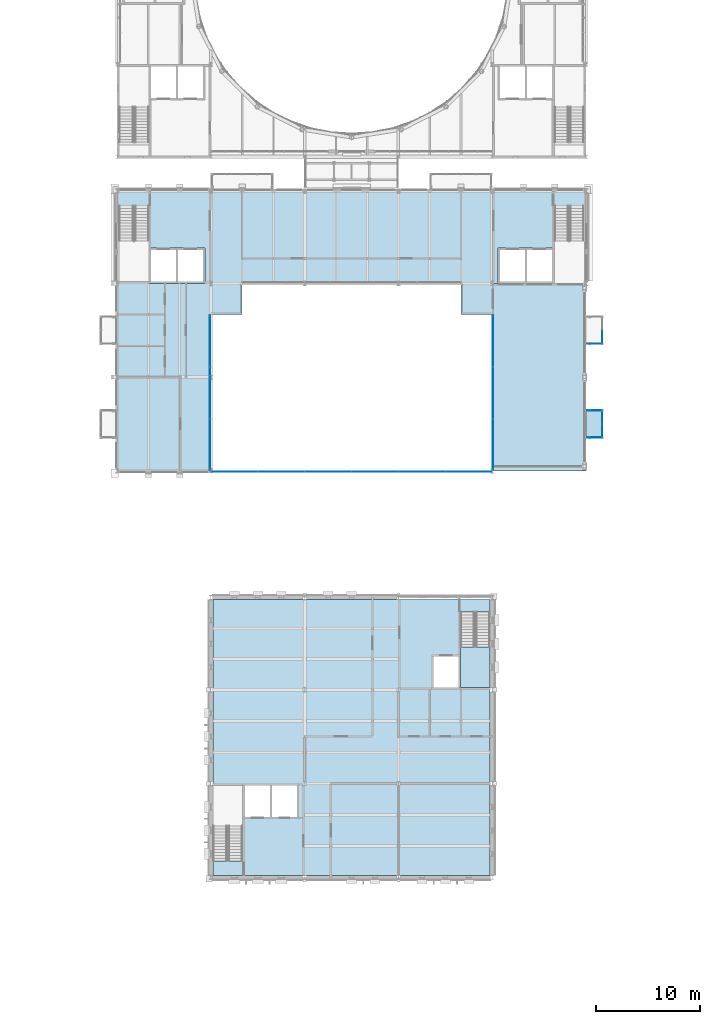
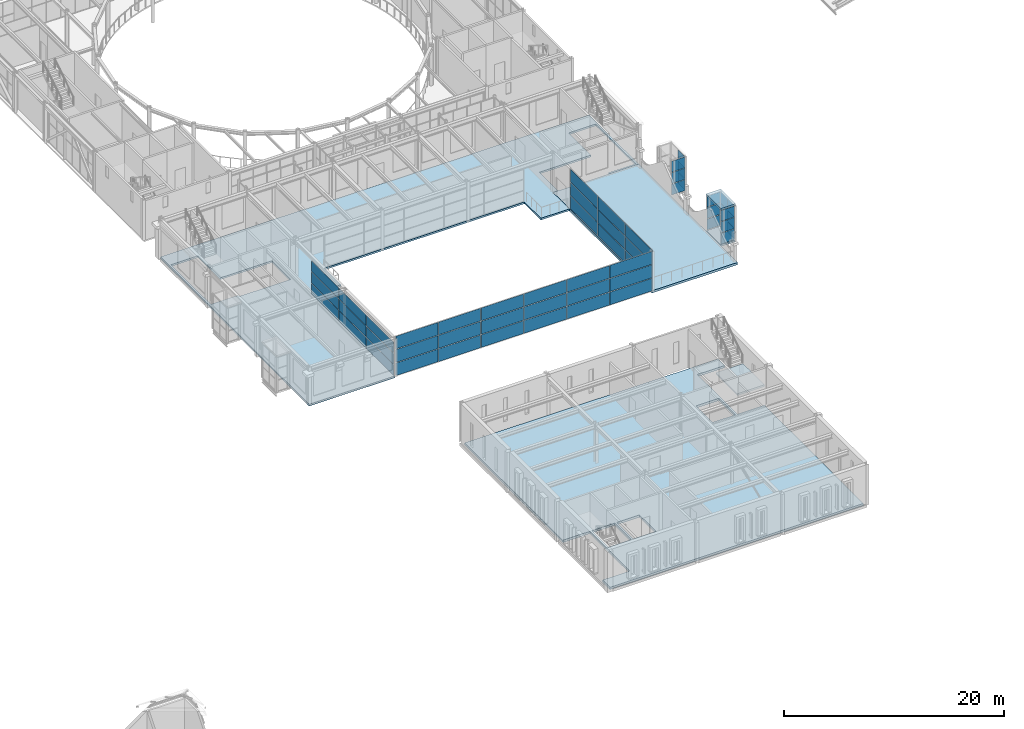
# One storey, part 58 of 111: 54 plates, 6 slabs, 9 elements without a shape of their own.
"""IFC4 building model written with IfcOpenShell, lengths in metres."""

from ifc_helpers import new_model, si_unit, direction, frame, origin, origin_2d, place, context, subcontext, project, spatial, polyline, rectangle, outline, extrude, material, layer, layer_set, type_object, element, aggregate, save


model = new_model("IFC4")

# Units and contexts
model_context = context("Model", 3, precision=1e-05, world=origin(), true_north=direction((0.0, 1.0)))
body_context = subcontext(model_context, "Body", "Model", "MODEL_VIEW")
ifc_project = project(units=[si_unit("LENGTHUNIT", "METRE"), si_unit("AREAUNIT", "SQUARE_METRE"), si_unit("VOLUMEUNIT", "CUBIC_METRE"), si_unit("PLANEANGLEUNIT", "RADIAN"), si_unit("MASSUNIT", "GRAM", prefix="KILO")], contexts=[model_context])

# Site, building, storey
site_placement = place(None, origin())
site = spatial("IfcSite", under=ifc_project, at=site_placement, CompositionType="ELEMENT")
building_placement = place(site_placement, origin())
building = spatial("IfcBuilding", under=site, at=building_placement, Name="Kallimachos Central Library", CompositionType="ELEMENT")
storey_placement = place(building_placement, frame((0.0, 0.0, 14.39990234375)))
storey = spatial("IfcBuildingStorey", under=building, at=storey_placement, Name="L03", CompositionType="ELEMENT", Elevation=14.39990234375)

# Curtain wall, plates
ifc_material_1 = material(Name="Aluminium and laminated glass", Category="aluminium")
curtain_wall_type_1 = type_object("IfcCurtainWallType", Name="Atrium glazed screen", PredefinedType="NOTDEFINED", material=ifc_material_1)
curtain_wall_1_placement = place(storey_placement, origin())
curtain_wall_1 = element("IfcCurtainWall", 1, at=curtain_wall_1_placement, inside=storey, type_object=curtain_wall_type_1, Name="L03 atrium screen S", PredefinedType="NOTDEFINED")
ifc_material_2 = material(Name="Laminated glass", Category="glass")
ifc_layer_1 = layer(ifc_material_2, 0.028076171875)
ifc_layer_set_1 = layer_set([ifc_layer_1], Name="Atrium screen glass panel")
plate_type_1 = type_object("IfcPlateType", Name="Atrium screen glass panel", PredefinedType="CURTAIN_PANEL", material=ifc_layer_set_1)
plate_1_placement = place(storey_placement, frame((76.764892578125, 56.919921875, 0.06005859375), z_axis=(0.0, 0.0, 1.0), x_axis=(1.0, 0.0, 0.0)))
plate_1 = element("IfcPlate", 2, at=plate_1_placement, type_object=plate_type_1, Name="CW panel 1.1", PredefinedType="CURTAIN_PANEL", context=body_context, shape_type="SweptSolid", body=[
    extrude(rectangle(XDim=4.409912109375, YDim=0.028076171875, at=origin_2d()), origin(), (0.0, 0.0, 1.0), 1.409912109375),
])
plate_2_placement = place(storey_placement, frame((76.764892578125, 56.919921875, 1.530029296875), z_axis=(0.0, 0.0, 1.0), x_axis=(1.0, 0.0, 0.0)))
plate_2 = element("IfcPlate", 3, at=plate_2_placement, type_object=plate_type_1, Name="CW panel 1.2", PredefinedType="CURTAIN_PANEL", context=body_context, shape_type="SweptSolid", body=[
    extrude(rectangle(XDim=4.409912109375, YDim=0.028076171875, at=origin_2d()), origin(), (0.0, 0.0, 1.0), 1.43994140625),
])
plate_3_placement = place(storey_placement, frame((76.764892578125, 56.919921875, 3.0302734375), z_axis=(0.0, 0.0, 1.0), x_axis=(1.0, 0.0, 0.0)))
plate_3 = element("IfcPlate", 4, at=plate_3_placement, type_object=plate_type_1, Name="CW panel 1.3", PredefinedType="CURTAIN_PANEL", context=body_context, shape_type="SweptSolid", body=[
    extrude(rectangle(XDim=4.409912109375, YDim=0.028076171875, at=origin_2d()), origin(), (0.0, 0.0, 1.0), 1.409912109375),
])
plate_4_placement = place(storey_placement, frame((81.25, 56.919921875, 0.06005859375), z_axis=(0.0, 0.0, 1.0), x_axis=(1.0, 0.0, 0.0)))
plate_4 = element("IfcPlate", 5, at=plate_4_placement, type_object=plate_type_1, Name="CW panel 2.1", PredefinedType="CURTAIN_PANEL", context=body_context, shape_type="SweptSolid", body=[
    extrude(rectangle(XDim=4.43994140625, YDim=0.028076171875, at=origin_2d()), origin(), (0.0, 0.0, 1.0), 1.409912109375),
])
plate_5_placement = place(storey_placement, frame((81.25, 56.919921875, 1.530029296875), z_axis=(0.0, 0.0, 1.0), x_axis=(1.0, 0.0, 0.0)))
plate_5 = element("IfcPlate", 6, at=plate_5_placement, type_object=plate_type_1, Name="CW panel 2.2", PredefinedType="CURTAIN_PANEL", context=body_context, shape_type="SweptSolid", body=[
    extrude(rectangle(XDim=4.43994140625, YDim=0.028076171875, at=origin_2d()), origin(), (0.0, 0.0, 1.0), 1.43994140625),
])
plate_6_placement = place(storey_placement, frame((81.25, 56.919921875, 3.0302734375), z_axis=(0.0, 0.0, 1.0), x_axis=(1.0, 0.0, 0.0)))
plate_6 = element("IfcPlate", 7, at=plate_6_placement, type_object=plate_type_1, Name="CW panel 2.3", PredefinedType="CURTAIN_PANEL", context=body_context, shape_type="SweptSolid", body=[
    extrude(rectangle(XDim=4.43994140625, YDim=0.028076171875, at=origin_2d()), origin(), (0.0, 0.0, 1.0), 1.409912109375),
])
plate_7_placement = place(storey_placement, frame((85.75, 56.919921875, 0.06005859375), z_axis=(0.0, 0.0, 1.0), x_axis=(1.0, 0.0, 0.0)))
plate_7 = element("IfcPlate", 8, at=plate_7_placement, type_object=plate_type_1, Name="CW panel 3.1", PredefinedType="CURTAIN_PANEL", context=body_context, shape_type="SweptSolid", body=[
    extrude(rectangle(XDim=4.43994140625, YDim=0.028076171875, at=origin_2d()), origin(), (0.0, 0.0, 1.0), 1.409912109375),
])
plate_8_placement = place(storey_placement, frame((85.75, 56.919921875, 1.530029296875), z_axis=(0.0, 0.0, 1.0), x_axis=(1.0, 0.0, 0.0)))
plate_8 = element("IfcPlate", 9, at=plate_8_placement, type_object=plate_type_1, Name="CW panel 3.2", PredefinedType="CURTAIN_PANEL", context=body_context, shape_type="SweptSolid", body=[
    extrude(rectangle(XDim=4.43994140625, YDim=0.028076171875, at=origin_2d()), origin(), (0.0, 0.0, 1.0), 1.43994140625),
])
plate_9_placement = place(storey_placement, frame((85.75, 56.919921875, 3.0302734375), z_axis=(0.0, 0.0, 1.0), x_axis=(1.0, 0.0, 0.0)))
plate_9 = element("IfcPlate", 10, at=plate_9_placement, type_object=plate_type_1, Name="CW panel 3.3", PredefinedType="CURTAIN_PANEL", context=body_context, shape_type="SweptSolid", body=[
    extrude(rectangle(XDim=4.43994140625, YDim=0.028076171875, at=origin_2d()), origin(), (0.0, 0.0, 1.0), 1.409912109375),
])
plate_10_placement = place(storey_placement, frame((90.25, 56.919921875, 0.06005859375), z_axis=(0.0, 0.0, 1.0), x_axis=(1.0, 0.0, 0.0)))
plate_10 = element("IfcPlate", 11, at=plate_10_placement, type_object=plate_type_1, Name="CW panel 4.1", PredefinedType="CURTAIN_PANEL", context=body_context, shape_type="SweptSolid", body=[
    extrude(rectangle(XDim=4.43994140625, YDim=0.028076171875, at=origin_2d()), origin(), (0.0, 0.0, 1.0), 1.409912109375),
])
plate_11_placement = place(storey_placement, frame((90.25, 56.919921875, 1.530029296875), z_axis=(0.0, 0.0, 1.0), x_axis=(1.0, 0.0, 0.0)))
plate_11 = element("IfcPlate", 12, at=plate_11_placement, type_object=plate_type_1, Name="CW panel 4.2", PredefinedType="CURTAIN_PANEL", context=body_context, shape_type="SweptSolid", body=[
    extrude(rectangle(XDim=4.43994140625, YDim=0.028076171875, at=origin_2d()), origin(), (0.0, 0.0, 1.0), 1.43994140625),
])
plate_12_placement = place(storey_placement, frame((90.25, 56.919921875, 3.0302734375), z_axis=(0.0, 0.0, 1.0), x_axis=(1.0, 0.0, 0.0)))
plate_12 = element("IfcPlate", 13, at=plate_12_placement, type_object=plate_type_1, Name="CW panel 4.3", PredefinedType="CURTAIN_PANEL", context=body_context, shape_type="SweptSolid", body=[
    extrude(rectangle(XDim=4.43994140625, YDim=0.028076171875, at=origin_2d()), origin(), (0.0, 0.0, 1.0), 1.409912109375),
])
plate_13_placement = place(storey_placement, frame((94.75, 56.919921875, 0.06005859375), z_axis=(0.0, 0.0, 1.0), x_axis=(1.0, 0.0, 0.0)))
plate_13 = element("IfcPlate", 14, at=plate_13_placement, type_object=plate_type_1, Name="CW panel 5.1", PredefinedType="CURTAIN_PANEL", context=body_context, shape_type="SweptSolid", body=[
    extrude(rectangle(XDim=4.43994140625, YDim=0.028076171875, at=origin_2d()), origin(), (0.0, 0.0, 1.0), 1.409912109375),
])
plate_14_placement = place(storey_placement, frame((94.75, 56.919921875, 1.530029296875), z_axis=(0.0, 0.0, 1.0), x_axis=(1.0, 0.0, 0.0)))
plate_14 = element("IfcPlate", 15, at=plate_14_placement, type_object=plate_type_1, Name="CW panel 5.2", PredefinedType="CURTAIN_PANEL", context=body_context, shape_type="SweptSolid", body=[
    extrude(rectangle(XDim=4.43994140625, YDim=0.028076171875, at=origin_2d()), origin(), (0.0, 0.0, 1.0), 1.43994140625),
])
plate_15_placement = place(storey_placement, frame((94.75, 56.919921875, 3.0302734375), z_axis=(0.0, 0.0, 1.0), x_axis=(1.0, 0.0, 0.0)))
plate_15 = element("IfcPlate", 16, at=plate_15_placement, type_object=plate_type_1, Name="CW panel 5.3", PredefinedType="CURTAIN_PANEL", context=body_context, shape_type="SweptSolid", body=[
    extrude(rectangle(XDim=4.43994140625, YDim=0.028076171875, at=origin_2d()), origin(), (0.0, 0.0, 1.0), 1.409912109375),
])
plate_16_placement = place(storey_placement, frame((99.235107421875, 56.919921875, 0.06005859375), z_axis=(0.0, 0.0, 1.0), x_axis=(1.0, 0.0, 0.0)))
plate_16 = element("IfcPlate", 17, at=plate_16_placement, type_object=plate_type_1, Name="CW panel 6.1", PredefinedType="CURTAIN_PANEL", context=body_context, shape_type="SweptSolid", body=[
    extrude(rectangle(XDim=4.409912109375, YDim=0.028076171875, at=origin_2d()), origin(), (0.0, 0.0, 1.0), 1.409912109375),
])
plate_17_placement = place(storey_placement, frame((99.235107421875, 56.919921875, 1.530029296875), z_axis=(0.0, 0.0, 1.0), x_axis=(1.0, 0.0, 0.0)))
plate_17 = element("IfcPlate", 18, at=plate_17_placement, type_object=plate_type_1, Name="CW panel 6.2", PredefinedType="CURTAIN_PANEL", context=body_context, shape_type="SweptSolid", body=[
    extrude(rectangle(XDim=4.409912109375, YDim=0.028076171875, at=origin_2d()), origin(), (0.0, 0.0, 1.0), 1.43994140625),
])
plate_18_placement = place(storey_placement, frame((99.235107421875, 56.919921875, 3.0302734375), z_axis=(0.0, 0.0, 1.0), x_axis=(1.0, 0.0, 0.0)))
plate_18 = element("IfcPlate", 19, at=plate_18_placement, type_object=plate_type_1, Name="CW panel 6.3", PredefinedType="CURTAIN_PANEL", context=body_context, shape_type="SweptSolid", body=[
    extrude(rectangle(XDim=4.409912109375, YDim=0.028076171875, at=origin_2d()), origin(), (0.0, 0.0, 1.0), 1.409912109375),
])
aggregate(curtain_wall_1, [plate_1, plate_2, plate_3, plate_4, plate_5, plate_6, plate_7, plate_8, plate_9, plate_10, plate_11, plate_12, plate_13, plate_14, plate_15, plate_16, plate_17, plate_18])

curtain_wall_2_placement = place(storey_placement, origin())
curtain_wall_2 = element("IfcCurtainWall", 20, at=curtain_wall_2_placement, inside=storey, type_object=curtain_wall_type_1, Name="L03 atrium screen W", PredefinedType="NOTDEFINED")
plate_19_placement = place(storey_placement, frame((74.419921875, 59.514892578125, 0.06005859375), z_axis=(0.0, 0.0, 1.0), x_axis=(0.0, 1.0, 0.0)))
plate_19 = element("IfcPlate", 21, at=plate_19_placement, type_object=plate_type_1, Name="CW panel 1.1", PredefinedType="CURTAIN_PANEL", context=body_context, shape_type="SweptSolid", body=[
    extrude(rectangle(XDim=4.909912109375, YDim=0.028076171875, at=origin_2d()), origin(), (0.0, 0.0, 1.0), 1.1767578125),
])
plate_20_placement = place(storey_placement, frame((74.419921875, 59.514892578125, 1.296875), z_axis=(0.0, 0.0, 1.0), x_axis=(0.0, 1.0, 0.0)))
plate_20 = element("IfcPlate", 22, at=plate_20_placement, type_object=plate_type_1, Name="CW panel 1.2", PredefinedType="CURTAIN_PANEL", context=body_context, shape_type="SweptSolid", body=[
    extrude(rectangle(XDim=4.909912109375, YDim=0.028076171875, at=origin_2d()), origin(), (0.0, 0.0, 1.0), 1.206787109375),
])
plate_21_placement = place(storey_placement, frame((74.419921875, 59.514892578125, 2.5634765625), z_axis=(0.0, 0.0, 1.0), x_axis=(0.0, 1.0, 0.0)))
plate_21 = element("IfcPlate", 23, at=plate_21_placement, type_object=plate_type_1, Name="CW panel 1.3", PredefinedType="CURTAIN_PANEL", context=body_context, shape_type="SweptSolid", body=[
    extrude(rectangle(XDim=4.909912109375, YDim=0.028076171875, at=origin_2d()), origin(), (0.0, 0.0, 1.0), 1.1767578125),
])
plate_22_placement = place(storey_placement, frame((74.419921875, 64.5, 0.06005859375), z_axis=(0.0, 0.0, 1.0), x_axis=(0.0, 1.0, 0.0)))
plate_22 = element("IfcPlate", 24, at=plate_22_placement, type_object=plate_type_1, Name="CW panel 2.1", PredefinedType="CURTAIN_PANEL", context=body_context, shape_type="SweptSolid", body=[
    extrude(rectangle(XDim=4.93994140625, YDim=0.028076171875, at=origin_2d()), origin(), (0.0, 0.0, 1.0), 1.1767578125),
])
plate_23_placement = place(storey_placement, frame((74.419921875, 64.5, 1.296875), z_axis=(0.0, 0.0, 1.0), x_axis=(0.0, 1.0, 0.0)))
plate_23 = element("IfcPlate", 25, at=plate_23_placement, type_object=plate_type_1, Name="CW panel 2.2", PredefinedType="CURTAIN_PANEL", context=body_context, shape_type="SweptSolid", body=[
    extrude(rectangle(XDim=4.93994140625, YDim=0.028076171875, at=origin_2d()), origin(), (0.0, 0.0, 1.0), 1.206787109375),
])
plate_24_placement = place(storey_placement, frame((74.419921875, 64.5, 2.5634765625), z_axis=(0.0, 0.0, 1.0), x_axis=(0.0, 1.0, 0.0)))
plate_24 = element("IfcPlate", 26, at=plate_24_placement, type_object=plate_type_1, Name="CW panel 2.3", PredefinedType="CURTAIN_PANEL", context=body_context, shape_type="SweptSolid", body=[
    extrude(rectangle(XDim=4.93994140625, YDim=0.028076171875, at=origin_2d()), origin(), (0.0, 0.0, 1.0), 1.1767578125),
])
plate_25_placement = place(storey_placement, frame((74.419921875, 69.485107421875, 0.06005859375), z_axis=(0.0, 0.0, 1.0), x_axis=(0.0, 1.0, 0.0)))
plate_25 = element("IfcPlate", 27, at=plate_25_placement, type_object=plate_type_1, Name="CW panel 3.1", PredefinedType="CURTAIN_PANEL", context=body_context, shape_type="SweptSolid", body=[
    extrude(rectangle(XDim=4.909912109375, YDim=0.028076171875, at=origin_2d()), origin(), (0.0, 0.0, 1.0), 1.1767578125),
])
plate_26_placement = place(storey_placement, frame((74.419921875, 69.485107421875, 1.296875), z_axis=(0.0, 0.0, 1.0), x_axis=(0.0, 1.0, 0.0)))
plate_26 = element("IfcPlate", 28, at=plate_26_placement, type_object=plate_type_1, Name="CW panel 3.2", PredefinedType="CURTAIN_PANEL", context=body_context, shape_type="SweptSolid", body=[
    extrude(rectangle(XDim=4.909912109375, YDim=0.028076171875, at=origin_2d()), origin(), (0.0, 0.0, 1.0), 1.206787109375),
])
plate_27_placement = place(storey_placement, frame((74.419921875, 69.485107421875, 2.5634765625), z_axis=(0.0, 0.0, 1.0), x_axis=(0.0, 1.0, 0.0)))
plate_27 = element("IfcPlate", 29, at=plate_27_placement, type_object=plate_type_1, Name="CW panel 3.3", PredefinedType="CURTAIN_PANEL", context=body_context, shape_type="SweptSolid", body=[
    extrude(rectangle(XDim=4.909912109375, YDim=0.028076171875, at=origin_2d()), origin(), (0.0, 0.0, 1.0), 1.1767578125),
])
aggregate(curtain_wall_2, [plate_19, plate_20, plate_21, plate_22, plate_23, plate_24, plate_25, plate_26, plate_27])

curtain_wall_3_placement = place(storey_placement, origin())
curtain_wall_3 = element("IfcCurtainWall", 30, at=curtain_wall_3_placement, inside=storey, type_object=curtain_wall_type_1, Name="L03 atrium screen E", PredefinedType="NOTDEFINED")
plate_28_placement = place(storey_placement, frame((101.580078125, 59.514892578125, 0.06005859375), z_axis=(0.0, 0.0, 1.0), x_axis=(0.0, 1.0, 0.0)))
plate_28 = element("IfcPlate", 31, at=plate_28_placement, type_object=plate_type_1, Name="CW panel 1.1", PredefinedType="CURTAIN_PANEL", context=body_context, shape_type="SweptSolid", body=[
    extrude(rectangle(XDim=4.909912109375, YDim=0.028076171875, at=origin_2d()), origin(), (0.0, 0.0, 1.0), 1.409912109375),
])
plate_29_placement = place(storey_placement, frame((101.580078125, 59.514892578125, 1.530029296875), z_axis=(0.0, 0.0, 1.0), x_axis=(0.0, 1.0, 0.0)))
plate_29 = element("IfcPlate", 32, at=plate_29_placement, type_object=plate_type_1, Name="CW panel 1.2", PredefinedType="CURTAIN_PANEL", context=body_context, shape_type="SweptSolid", body=[
    extrude(rectangle(XDim=4.909912109375, YDim=0.028076171875, at=origin_2d()), origin(), (0.0, 0.0, 1.0), 1.43994140625),
])
plate_30_placement = place(storey_placement, frame((101.580078125, 59.514892578125, 3.0302734375), z_axis=(0.0, 0.0, 1.0), x_axis=(0.0, 1.0, 0.0)))
plate_30 = element("IfcPlate", 33, at=plate_30_placement, type_object=plate_type_1, Name="CW panel 1.3", PredefinedType="CURTAIN_PANEL", context=body_context, shape_type="SweptSolid", body=[
    extrude(rectangle(XDim=4.909912109375, YDim=0.028076171875, at=origin_2d()), origin(), (0.0, 0.0, 1.0), 1.409912109375),
])
plate_31_placement = place(storey_placement, frame((101.580078125, 64.5, 0.06005859375), z_axis=(0.0, 0.0, 1.0), x_axis=(0.0, 1.0, 0.0)))
plate_31 = element("IfcPlate", 34, at=plate_31_placement, type_object=plate_type_1, Name="CW panel 2.1", PredefinedType="CURTAIN_PANEL", context=body_context, shape_type="SweptSolid", body=[
    extrude(rectangle(XDim=4.93994140625, YDim=0.028076171875, at=origin_2d()), origin(), (0.0, 0.0, 1.0), 1.409912109375),
])
plate_32_placement = place(storey_placement, frame((101.580078125, 64.5, 1.530029296875), z_axis=(0.0, 0.0, 1.0), x_axis=(0.0, 1.0, 0.0)))
plate_32 = element("IfcPlate", 35, at=plate_32_placement, type_object=plate_type_1, Name="CW panel 2.2", PredefinedType="CURTAIN_PANEL", context=body_context, shape_type="SweptSolid", body=[
    extrude(rectangle(XDim=4.93994140625, YDim=0.028076171875, at=origin_2d()), origin(), (0.0, 0.0, 1.0), 1.43994140625),
])
plate_33_placement = place(storey_placement, frame((101.580078125, 64.5, 3.0302734375), z_axis=(0.0, 0.0, 1.0), x_axis=(0.0, 1.0, 0.0)))
plate_33 = element("IfcPlate", 36, at=plate_33_placement, type_object=plate_type_1, Name="CW panel 2.3", PredefinedType="CURTAIN_PANEL", context=body_context, shape_type="SweptSolid", body=[
    extrude(rectangle(XDim=4.93994140625, YDim=0.028076171875, at=origin_2d()), origin(), (0.0, 0.0, 1.0), 1.409912109375),
])
plate_34_placement = place(storey_placement, frame((101.580078125, 69.485107421875, 0.06005859375), z_axis=(0.0, 0.0, 1.0), x_axis=(0.0, 1.0, 0.0)))
plate_34 = element("IfcPlate", 37, at=plate_34_placement, type_object=plate_type_1, Name="CW panel 3.1", PredefinedType="CURTAIN_PANEL", context=body_context, shape_type="SweptSolid", body=[
    extrude(rectangle(XDim=4.909912109375, YDim=0.028076171875, at=origin_2d()), origin(), (0.0, 0.0, 1.0), 1.409912109375),
])
plate_35_placement = place(storey_placement, frame((101.580078125, 69.485107421875, 1.530029296875), z_axis=(0.0, 0.0, 1.0), x_axis=(0.0, 1.0, 0.0)))
plate_35 = element("IfcPlate", 38, at=plate_35_placement, type_object=plate_type_1, Name="CW panel 3.2", PredefinedType="CURTAIN_PANEL", context=body_context, shape_type="SweptSolid", body=[
    extrude(rectangle(XDim=4.909912109375, YDim=0.028076171875, at=origin_2d()), origin(), (0.0, 0.0, 1.0), 1.43994140625),
])
plate_36_placement = place(storey_placement, frame((101.580078125, 69.485107421875, 3.0302734375), z_axis=(0.0, 0.0, 1.0), x_axis=(0.0, 1.0, 0.0)))
plate_36 = element("IfcPlate", 39, at=plate_36_placement, type_object=plate_type_1, Name="CW panel 3.3", PredefinedType="CURTAIN_PANEL", context=body_context, shape_type="SweptSolid", body=[
    extrude(rectangle(XDim=4.909912109375, YDim=0.028076171875, at=origin_2d()), origin(), (0.0, 0.0, 1.0), 1.409912109375),
])
aggregate(curtain_wall_3, [plate_28, plate_29, plate_30, plate_31, plate_32, plate_33, plate_34, plate_35, plate_36])

# Slabs
ifc_material_3 = material(Name="Composite slab C30/37 on steel deck", Category="concrete")
ifc_layer_2 = layer(ifc_material_3, 0.199951171875)
ifc_layer_set_2 = layer_set([ifc_layer_2], Name="Composite floor slab 200")
slab_type_1 = type_object("IfcSlabType", Name="Composite floor slab 200", PredefinedType="FLOOR", material=ifc_layer_set_2)
slab_1_placement = place(storey_placement, frame((0.0, 0.0, -0.199951171875)))
element("IfcSlab", 40, at=slab_1_placement, inside=storey, type_object=slab_type_1, Name="V4-SLB-L03-001", PredefinedType="FLOOR", context=body_context, shape_type="SweptSolid", body=[
    extrude(outline(polyline([(98.5, 75.0), (77.5, 75.0), (77.5, 72.0), (74.5, 72.0), (74.5, 57.0), (65.5, 57.0), (65.5, 84.0), (110.5, 84.0), (110.5, 75.0), (107.449951171875, 75.0), (107.449951171875, 75.199951171875), (110.300048828125, 75.199951171875), (110.300048828125, 82.446044921875), (107.449951171875, 82.446044921875), (107.449951171875, 78.39990234375), (102.050048828125, 78.39990234375), (102.050048828125, 75.0), (101.5, 75.0), (101.5, 72.0), (98.5, 72.0), (98.5, 75.0)]), holes=[polyline([(68.550048828125, 75.0), (73.949951171875, 75.0), (73.949951171875, 78.39990234375), (68.550048828125, 78.39990234375), (68.550048828125, 82.446044921875), (65.699951171875, 82.446044921875), (65.699951171875, 75.199951171875), (68.550048828125, 75.199951171875), (68.550048828125, 75.0)])]), origin(), (0.0, 0.0, 1.0), 0.199951171875),
])
ifc_material_4 = material(Name="Composite slab C30/37 on steel deck", Category="concrete")
ifc_layer_3 = layer(ifc_material_4, 0.25)
ifc_layer_set_3 = layer_set([ifc_layer_3], Name="Composite floor slab 250")
slab_type_2 = type_object("IfcSlabType", Name="Composite floor slab 250", PredefinedType="FLOOR", material=ifc_layer_set_3)
slab_2_placement = place(storey_placement, frame((0.0, 0.0, -0.25)))
element("IfcSlab", 41, at=slab_2_placement, inside=storey, type_object=slab_type_2, Name="V5-SLB-L03-001", PredefinedType="FLOOR", context=body_context, shape_type="SweptSolid", body=[
    extrude(outline(polyline([(101.300048828125, 18.199951171875), (74.699951171875, 18.199951171875), (74.699951171875, 19.553955078125), (77.550048828125, 19.553955078125), (77.550048828125, 26.800048828125), (74.699951171875, 26.800048828125), (74.699951171875, 44.64990234375), (101.300048828125, 44.64990234375), (101.300048828125, 43.446044921875), (98.449951171875, 43.446044921875), (98.449951171875, 36.199951171875), (101.300048828125, 36.199951171875), (101.300048828125, 18.199951171875)]), holes=[polyline([(77.75, 26.800048828125), (77.75, 23.800048828125), (80.14990234375, 23.800048828125), (80.14990234375, 26.800048828125), (77.75, 26.800048828125)]), polyline([(80.35009765625, 26.800048828125), (80.35009765625, 23.800048828125), (82.75, 23.800048828125), (82.75, 26.800048828125), (80.35009765625, 26.800048828125)]), polyline([(98.25, 39.199951171875), (95.85009765625, 39.199951171875), (95.85009765625, 36.199951171875), (98.25, 36.199951171875), (98.25, 39.199951171875)])]), origin(), (0.0, 0.0, 1.0), 0.25),
])
ifc_material_5 = material(Name="Composite slab C30/37 on steel deck", Category="concrete")
ifc_layer_4 = layer(ifc_material_5, 0.25)
ifc_layer_set_4 = layer_set([ifc_layer_4], Name="Roof garden slab 250")
slab_type_3 = type_object("IfcSlabType", Name="Roof garden slab 250", PredefinedType="ROOF", material=ifc_layer_set_4)
slab_3_placement = place(storey_placement, frame((0.0, 0.0, -0.25)))
element("IfcSlab", 42, at=slab_3_placement, inside=storey, type_object=slab_type_3, Name="V4-SLB-L03-002", PredefinedType="ROOF", context=body_context, shape_type="SweptSolid", body=[
    extrude(outline(polyline([(101.5, 75.0), (102.050048828125, 75.0), (104.64990234375, 75.0), (104.85009765625, 75.0), (107.449951171875, 75.0), (110.5, 75.0), (110.5, 57.0), (101.5, 57.0), (101.5, 75.0)])), origin(), (0.0, 0.0, 1.0), 0.25),
])

# Stair, slab
ifc_material_6 = material(Name="Concrete C30/37", Category="concrete")
stair_type = type_object("IfcStairType", Name="Concrete stair 1350", PredefinedType="HALF_TURN_STAIR", material=ifc_material_6)
stair_placement = place(storey_placement, origin())
stair = element("IfcStair", 43, at=stair_placement, inside=storey, type_object=stair_type, Name="L03 stair ST14", PredefinedType="HALF_TURN_STAIR")
ifc_material_7 = material(Name="Concrete C30/37", Category="concrete")
ifc_layer_5 = layer(ifc_material_7, 0.199951171875)
ifc_layer_set_5 = layer_set([ifc_layer_5], Name="Stair landing slab 200")
slab_type_4 = type_object("IfcSlabType", Name="Stair landing slab 200", PredefinedType="LANDING", material=ifc_layer_set_5)
slab_4_placement = place(storey_placement, frame((0.0, 0.0, 2.050048828125)))
slab_4 = element("IfcSlab", 44, at=slab_4_placement, type_object=slab_type_4, Name="ST14 landing 1", PredefinedType="LANDING", context=body_context, shape_type="SweptSolid", body=[
    extrude(outline(polyline([(98.449951171875, 40.090087890625), (98.449951171875, 36.199951171875), (101.300048828125, 36.199951171875), (101.300048828125, 40.090087890625), (98.449951171875, 40.090087890625)])), origin(), (0.0, 0.0, 1.0), 0.199951171875),
])
aggregate(stair, [slab_4])

# Slab
ifc_material_8 = material(Name="Composite slab C30/37 on steel deck", Category="concrete")
ifc_layer_6 = layer(ifc_material_8, 0.199951171875)
ifc_layer_set_6 = layer_set([ifc_layer_6], Name="Tribune bay floor slab 200")
slab_type_5 = type_object("IfcSlabType", Name="Tribune bay floor slab 200", PredefinedType="FLOOR", material=ifc_layer_set_6)
slab_5_placement = place(storey_placement, frame((0.0, 0.0, -0.199951171875)))
element("IfcSlab", 45, at=slab_5_placement, inside=storey, type_object=slab_type_5, Name="Tribune bay E1 floor L03", PredefinedType="FLOOR", context=body_context, shape_type="SweptSolid", body=[
    extrude(outline(polyline([(110.550048828125, 60.199951171875), (110.550048828125, 62.800048828125), (112.050048828125, 62.800048828125), (112.050048828125, 60.199951171875), (110.550048828125, 60.199951171875)])), origin(), (0.0, 0.0, 1.0), 0.199951171875),
])

# Curtain wall, plates
ifc_material_9 = material(Name="Aluminium and laminated glass", Category="aluminium")
curtain_wall_type_2 = type_object("IfcCurtainWallType", Name="Tribune bay glazed screen", PredefinedType="NOTDEFINED", material=ifc_material_9)
curtain_wall_4_placement = place(storey_placement, origin())
curtain_wall_4 = element("IfcCurtainWall", 46, at=curtain_wall_4_placement, inside=storey, type_object=curtain_wall_type_2, Name="Tribune bay E1 L03 front", PredefinedType="NOTDEFINED")
ifc_material_10 = material(Name="Laminated glass", Category="glass")
ifc_layer_7 = layer(ifc_material_10, 0.028076171875)
ifc_layer_set_7 = layer_set([ifc_layer_7], Name="Tribune bay glass panel")
plate_type_2 = type_object("IfcPlateType", Name="Tribune bay glass panel", PredefinedType="CURTAIN_PANEL", material=ifc_layer_set_7)
plate_37_placement = place(storey_placement, frame((112.050048828125, 60.864990234375, 0.06005859375), z_axis=(0.0, 0.0, 1.0), x_axis=(0.0, 1.0, 0.0)))
plate_37 = element("IfcPlate", 47, at=plate_37_placement, type_object=plate_type_2, Name="CW panel 1.1", PredefinedType="CURTAIN_PANEL", context=body_context, shape_type="SweptSolid", body=[
    extrude(rectangle(XDim=1.2099609375, YDim=0.028076171875, at=origin_2d()), origin(), (0.0, 0.0, 1.0), 1.193359375),
])
plate_38_placement = place(storey_placement, frame((112.050048828125, 60.864990234375, 1.3134765625), z_axis=(0.0, 0.0, 1.0), x_axis=(0.0, 1.0, 0.0)))
plate_38 = element("IfcPlate", 48, at=plate_38_placement, type_object=plate_type_2, Name="CW panel 1.2", PredefinedType="CURTAIN_PANEL", context=body_context, shape_type="SweptSolid", body=[
    extrude(rectangle(XDim=1.2099609375, YDim=0.028076171875, at=origin_2d()), origin(), (0.0, 0.0, 1.0), 1.223388671875),
])
plate_39_placement = place(storey_placement, frame((112.050048828125, 60.864990234375, 2.5966796875), z_axis=(0.0, 0.0, 1.0), x_axis=(0.0, 1.0, 0.0)))
plate_39 = element("IfcPlate", 49, at=plate_39_placement, type_object=plate_type_2, Name="CW panel 1.3", PredefinedType="CURTAIN_PANEL", context=body_context, shape_type="SweptSolid", body=[
    extrude(rectangle(XDim=1.2099609375, YDim=0.028076171875, at=origin_2d()), origin(), (0.0, 0.0, 1.0), 1.193359375),
])
plate_40_placement = place(storey_placement, frame((112.050048828125, 62.135009765625, 0.06005859375), z_axis=(0.0, 0.0, 1.0), x_axis=(0.0, 1.0, 0.0)))
plate_40 = element("IfcPlate", 50, at=plate_40_placement, type_object=plate_type_2, Name="CW panel 2.1", PredefinedType="CURTAIN_PANEL", context=body_context, shape_type="SweptSolid", body=[
    extrude(rectangle(XDim=1.2099609375, YDim=0.028076171875, at=origin_2d()), origin(), (0.0, 0.0, 1.0), 1.193359375),
])
plate_41_placement = place(storey_placement, frame((112.050048828125, 62.135009765625, 1.3134765625), z_axis=(0.0, 0.0, 1.0), x_axis=(0.0, 1.0, 0.0)))
plate_41 = element("IfcPlate", 51, at=plate_41_placement, type_object=plate_type_2, Name="CW panel 2.2", PredefinedType="CURTAIN_PANEL", context=body_context, shape_type="SweptSolid", body=[
    extrude(rectangle(XDim=1.2099609375, YDim=0.028076171875, at=origin_2d()), origin(), (0.0, 0.0, 1.0), 1.223388671875),
])
plate_42_placement = place(storey_placement, frame((112.050048828125, 62.135009765625, 2.5966796875), z_axis=(0.0, 0.0, 1.0), x_axis=(0.0, 1.0, 0.0)))
plate_42 = element("IfcPlate", 52, at=plate_42_placement, type_object=plate_type_2, Name="CW panel 2.3", PredefinedType="CURTAIN_PANEL", context=body_context, shape_type="SweptSolid", body=[
    extrude(rectangle(XDim=1.2099609375, YDim=0.028076171875, at=origin_2d()), origin(), (0.0, 0.0, 1.0), 1.193359375),
])
aggregate(curtain_wall_4, [plate_37, plate_38, plate_39, plate_40, plate_41, plate_42])

curtain_wall_5_placement = place(storey_placement, origin())
curtain_wall_5 = element("IfcCurtainWall", 53, at=curtain_wall_5_placement, inside=storey, type_object=curtain_wall_type_2, Name="Tribune bay E1 L03 return 1", PredefinedType="NOTDEFINED")
plate_43_placement = place(storey_placement, frame((111.300048828125, 60.199951171875, 0.06005859375), z_axis=(0.0, 0.0, 1.0), x_axis=(1.0, 0.0, 0.0)))
plate_43 = element("IfcPlate", 54, at=plate_43_placement, type_object=plate_type_2, Name="CW panel 1.1", PredefinedType="CURTAIN_PANEL", context=body_context, shape_type="SweptSolid", body=[
    extrude(rectangle(XDim=1.3798828125, YDim=0.028076171875, at=origin_2d()), origin(), (0.0, 0.0, 1.0), 1.193359375),
])
plate_44_placement = place(storey_placement, frame((111.300048828125, 60.199951171875, 1.3134765625), z_axis=(0.0, 0.0, 1.0), x_axis=(1.0, 0.0, 0.0)))
plate_44 = element("IfcPlate", 55, at=plate_44_placement, type_object=plate_type_2, Name="CW panel 1.2", PredefinedType="CURTAIN_PANEL", context=body_context, shape_type="SweptSolid", body=[
    extrude(rectangle(XDim=1.3798828125, YDim=0.028076171875, at=origin_2d()), origin(), (0.0, 0.0, 1.0), 1.223388671875),
])
plate_45_placement = place(storey_placement, frame((111.300048828125, 60.199951171875, 2.5966796875), z_axis=(0.0, 0.0, 1.0), x_axis=(1.0, 0.0, 0.0)))
plate_45 = element("IfcPlate", 56, at=plate_45_placement, type_object=plate_type_2, Name="CW panel 1.3", PredefinedType="CURTAIN_PANEL", context=body_context, shape_type="SweptSolid", body=[
    extrude(rectangle(XDim=1.3798828125, YDim=0.028076171875, at=origin_2d()), origin(), (0.0, 0.0, 1.0), 1.193359375),
])
aggregate(curtain_wall_5, [plate_43, plate_44, plate_45])

curtain_wall_6_placement = place(storey_placement, origin())
curtain_wall_6 = element("IfcCurtainWall", 57, at=curtain_wall_6_placement, inside=storey, type_object=curtain_wall_type_2, Name="Tribune bay E1 L03 return 2", PredefinedType="NOTDEFINED")
plate_46_placement = place(storey_placement, frame((111.300048828125, 62.800048828125, 0.06005859375), z_axis=(0.0, 0.0, 1.0), x_axis=(1.0, 0.0, 0.0)))
plate_46 = element("IfcPlate", 58, at=plate_46_placement, type_object=plate_type_2, Name="CW panel 1.1", PredefinedType="CURTAIN_PANEL", context=body_context, shape_type="SweptSolid", body=[
    extrude(rectangle(XDim=1.3798828125, YDim=0.028076171875, at=origin_2d()), origin(), (0.0, 0.0, 1.0), 1.193359375),
])
plate_47_placement = place(storey_placement, frame((111.300048828125, 62.800048828125, 1.3134765625), z_axis=(0.0, 0.0, 1.0), x_axis=(1.0, 0.0, 0.0)))
plate_47 = element("IfcPlate", 59, at=plate_47_placement, type_object=plate_type_2, Name="CW panel 1.2", PredefinedType="CURTAIN_PANEL", context=body_context, shape_type="SweptSolid", body=[
    extrude(rectangle(XDim=1.3798828125, YDim=0.028076171875, at=origin_2d()), origin(), (0.0, 0.0, 1.0), 1.223388671875),
])
plate_48_placement = place(storey_placement, frame((111.300048828125, 62.800048828125, 2.5966796875), z_axis=(0.0, 0.0, 1.0), x_axis=(1.0, 0.0, 0.0)))
plate_48 = element("IfcPlate", 60, at=plate_48_placement, type_object=plate_type_2, Name="CW panel 1.3", PredefinedType="CURTAIN_PANEL", context=body_context, shape_type="SweptSolid", body=[
    extrude(rectangle(XDim=1.3798828125, YDim=0.028076171875, at=origin_2d()), origin(), (0.0, 0.0, 1.0), 1.193359375),
])
aggregate(curtain_wall_6, [plate_46, plate_47, plate_48])

curtain_wall_7_placement = place(storey_placement, origin())
curtain_wall_7 = element("IfcCurtainWall", 61, at=curtain_wall_7_placement, inside=storey, type_object=curtain_wall_type_2, Name="Tribune bay E2 L03 front", PredefinedType="NOTDEFINED")
plate_49_placement = place(storey_placement, frame((112.050048828125, 69.864990234375, 0.06005859375), z_axis=(0.0, 0.0, 1.0), x_axis=(0.0, 1.0, 0.0)))
plate_49 = element("IfcPlate", 62, at=plate_49_placement, type_object=plate_type_2, Name="CW panel 1.1", PredefinedType="CURTAIN_PANEL", context=body_context, shape_type="SweptSolid", body=[
    extrude(rectangle(XDim=1.2099609375, YDim=0.028076171875, at=origin_2d()), origin(), (0.0, 0.0, 1.0), 1.193359375),
])
plate_50_placement = place(storey_placement, frame((112.050048828125, 69.864990234375, 1.3134765625), z_axis=(0.0, 0.0, 1.0), x_axis=(0.0, 1.0, 0.0)))
plate_50 = element("IfcPlate", 63, at=plate_50_placement, type_object=plate_type_2, Name="CW panel 1.2", PredefinedType="CURTAIN_PANEL", context=body_context, shape_type="SweptSolid", body=[
    extrude(rectangle(XDim=1.2099609375, YDim=0.028076171875, at=origin_2d()), origin(), (0.0, 0.0, 1.0), 1.223388671875),
])
plate_51_placement = place(storey_placement, frame((112.050048828125, 69.864990234375, 2.5966796875), z_axis=(0.0, 0.0, 1.0), x_axis=(0.0, 1.0, 0.0)))
plate_51 = element("IfcPlate", 64, at=plate_51_placement, type_object=plate_type_2, Name="CW panel 1.3", PredefinedType="CURTAIN_PANEL", context=body_context, shape_type="SweptSolid", body=[
    extrude(rectangle(XDim=1.2099609375, YDim=0.028076171875, at=origin_2d()), origin(), (0.0, 0.0, 1.0), 1.193359375),
])
aggregate(curtain_wall_7, [plate_49, plate_50, plate_51])

curtain_wall_8_placement = place(storey_placement, origin())
curtain_wall_8 = element("IfcCurtainWall", 65, at=curtain_wall_8_placement, inside=storey, type_object=curtain_wall_type_2, Name="Tribune bay E2 L03 return 1", PredefinedType="NOTDEFINED")
plate_52_placement = place(storey_placement, frame((111.300048828125, 69.199951171875, 0.06005859375), z_axis=(0.0, 0.0, 1.0), x_axis=(1.0, 0.0, 0.0)))
plate_52 = element("IfcPlate", 66, at=plate_52_placement, type_object=plate_type_2, Name="CW panel 1.1", PredefinedType="CURTAIN_PANEL", context=body_context, shape_type="SweptSolid", body=[
    extrude(rectangle(XDim=1.3798828125, YDim=0.028076171875, at=origin_2d()), origin(), (0.0, 0.0, 1.0), 1.193359375),
])
plate_53_placement = place(storey_placement, frame((111.300048828125, 69.199951171875, 1.3134765625), z_axis=(0.0, 0.0, 1.0), x_axis=(1.0, 0.0, 0.0)))
plate_53 = element("IfcPlate", 67, at=plate_53_placement, type_object=plate_type_2, Name="CW panel 1.2", PredefinedType="CURTAIN_PANEL", context=body_context, shape_type="SweptSolid", body=[
    extrude(rectangle(XDim=1.3798828125, YDim=0.028076171875, at=origin_2d()), origin(), (0.0, 0.0, 1.0), 1.223388671875),
])
plate_54_placement = place(storey_placement, frame((111.300048828125, 69.199951171875, 2.5966796875), z_axis=(0.0, 0.0, 1.0), x_axis=(1.0, 0.0, 0.0)))
plate_54 = element("IfcPlate", 68, at=plate_54_placement, type_object=plate_type_2, Name="CW panel 1.3", PredefinedType="CURTAIN_PANEL", context=body_context, shape_type="SweptSolid", body=[
    extrude(rectangle(XDim=1.3798828125, YDim=0.028076171875, at=origin_2d()), origin(), (0.0, 0.0, 1.0), 1.193359375),
])
aggregate(curtain_wall_8, [plate_52, plate_53, plate_54])

# Slab
ifc_material_11 = material(Name="Composite slab C30/37 on steel deck", Category="concrete")
ifc_layer_8 = layer(ifc_material_11, 0.199951171875)
ifc_layer_set_8 = layer_set([ifc_layer_8], Name="Tribune bay roof slab 200")
slab_type_6 = type_object("IfcSlabType", Name="Tribune bay roof slab 200", PredefinedType="ROOF", material=ifc_layer_set_8)
slab_6_placement = place(storey_placement, frame((0.0, 0.0, 3.85009765625)))
element("IfcSlab", 69, at=slab_6_placement, inside=storey, type_object=slab_type_6, Name="Tribune bay E1 roof", PredefinedType="ROOF", context=body_context, shape_type="SweptSolid", body=[
    extrude(outline(polyline([(110.550048828125, 60.14990234375), (110.550048828125, 62.85009765625), (112.10009765625, 62.85009765625), (112.10009765625, 60.14990234375), (110.550048828125, 60.14990234375)])), origin(), (0.0, 0.0, 1.0), 0.199951171875),
])

save(model, "model.ifc")
